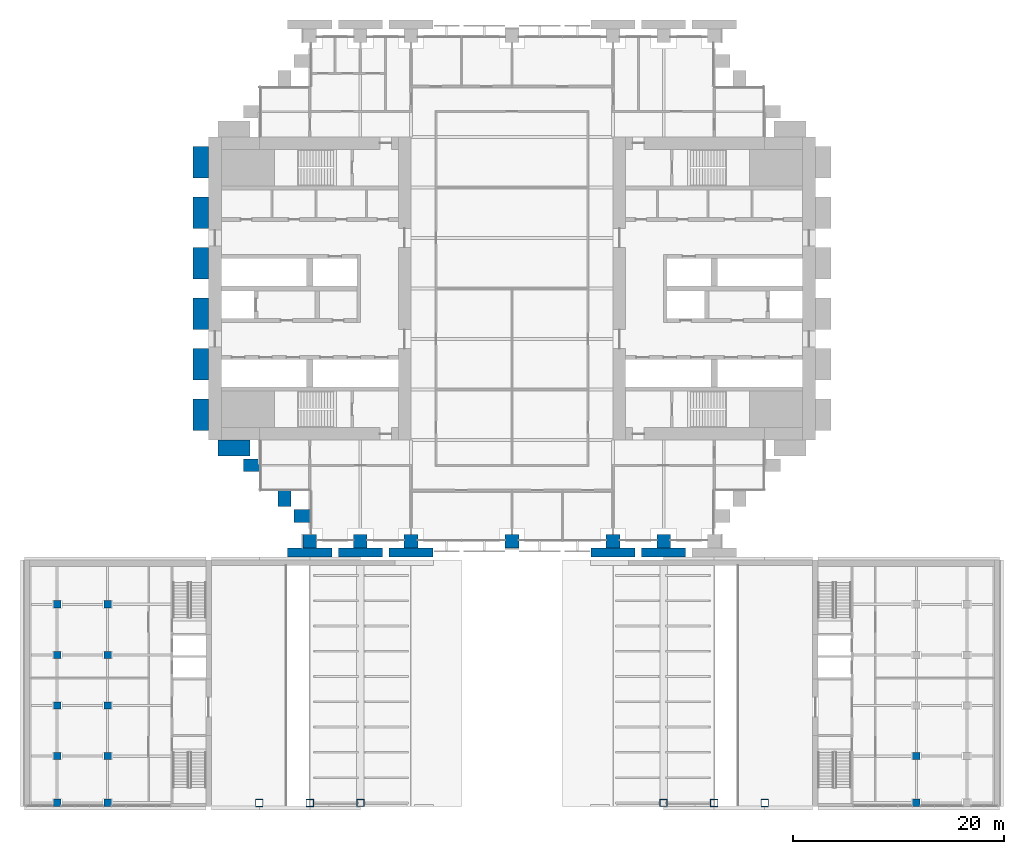
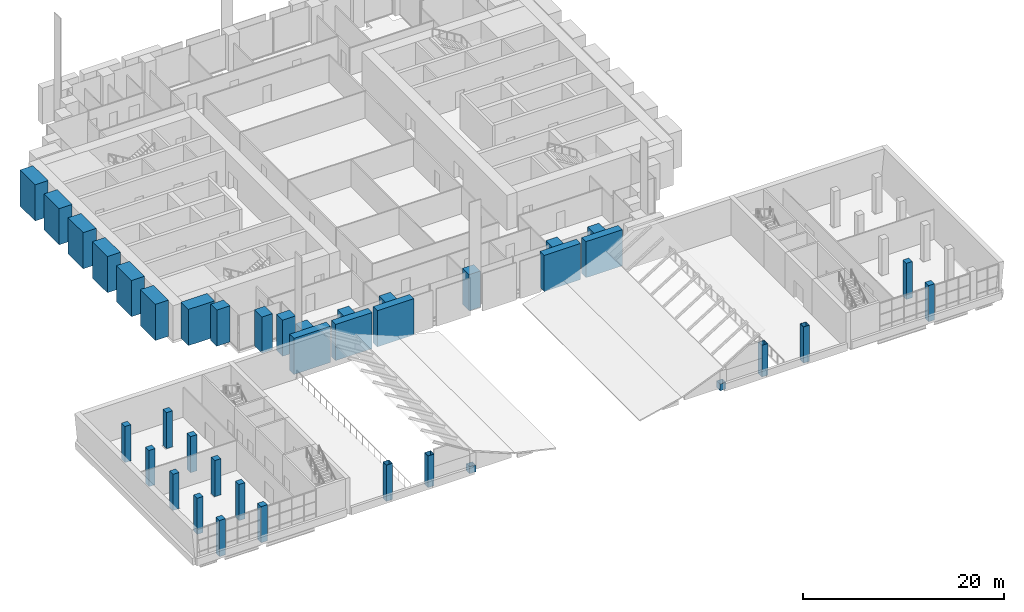
# One storey, part 1 of 32: 39 columns.
"""IFC4 building model written with IfcOpenShell, lengths in metres."""

from ifc_helpers import new_model, si_unit, direction, frame, origin, origin_2d, place, context, subcontext, project, spatial, rectangle, hollow_rectangle, extrude, material, material_profile, profile_set, type_object, element, save


model = new_model("IFC4")

# Units and contexts
model_context = context("Model", 3, precision=1e-05, world=origin(), true_north=direction((0.0, 1.0)))
body_context = subcontext(model_context, "Body", "Model", "MODEL_VIEW")
ifc_project = project(units=[si_unit("LENGTHUNIT", "METRE"), si_unit("AREAUNIT", "SQUARE_METRE"), si_unit("VOLUMEUNIT", "CUBIC_METRE"), si_unit("PLANEANGLEUNIT", "RADIAN"), si_unit("MASSUNIT", "GRAM", prefix="KILO")], contexts=[model_context])

# Site, building, storey
site_placement = place(None, origin())
site = spatial("IfcSite", under=ifc_project, at=site_placement, CompositionType="ELEMENT")
building_placement = place(site_placement, origin())
building = spatial("IfcBuilding", under=site, at=building_placement, Name="Baori Bourse Tower", CompositionType="ELEMENT")
storey_placement = place(building_placement, frame((0.0, 0.0, 12.60009765625)))
storey = spatial("IfcBuildingStorey", under=building, at=storey_placement, Name="L01", CompositionType="ELEMENT", Elevation=12.60009765625)

# Columns
ifc_material_1 = material(Name="Concrete f'c 60 MPa", Category="concrete")
ifc_material_profile_1 = material_profile(ifc_material_1, rectangle(XDim=1.199951171875, YDim=1.5, at=origin_2d()), Name="RC 1200x1500")
ifc_profile_set_1 = profile_set([ifc_material_profile_1], Name="Concrete f'c 60 MPa")
column_type_1 = type_object("IfcColumnType", Name="FN2 Brick pilaster", PredefinedType="PILASTER", material=ifc_profile_set_1)
for number, where, z_axis, x_axis, name in (
    (1, (4.050048828125, 7.199951171875, 0.0), (0.0, 0.0, 1.0), (0.0, 1.0, 0.0), "Brick pilaster L01 7"),
    (2, (7.199951171875, 4.050048828125, 0.0), (0.0, 0.0, 1.0), (1.0, 0.0, 0.0), "Brick pilaster L01 8"),
    (3, (8.85009765625, 2.39990234375, 0.0), (0.0, 0.0, 1.0), (0.0, 1.0, 0.0), "Brick pilaster L01 9"),
):
    element("IfcColumn", number, at=place(storey_placement, frame(where, z_axis=z_axis, x_axis=x_axis)), inside=storey, type_object=column_type_1, Name=name, PredefinedType="PILASTER", context=body_context, shape_type="SweptSolid", body=[
        extrude(rectangle(XDim=1.199951171875, YDim=1.5, at=origin_2d()), origin(), (0.0, 0.0, 1.0), 4.39990234375),
    ])
ifc_material_2 = material(Name="Concrete f'c 60 MPa", Category="concrete")
ifc_material_profile_2 = material_profile(ifc_material_2, rectangle(XDim=4.199951171875, YDim=0.85009765625, at=origin_2d()), Name="RC 4200x850")
ifc_profile_set_2 = profile_set([ifc_material_profile_2], Name="Concrete f'c 60 MPa")
column_type_2 = type_object("IfcColumnType", Name="FN3 Brick pilaster 4200x850", PredefinedType="PILASTER", material=ifc_profile_set_2)
for number, where, z_axis, x_axis, name in (
    (4, (9.60009765625, -1.074951171875, 0.0), (0.0, 0.0, 1.0), (1.0, 0.0, 0.0), "Brick pilaster L01 29"),
    (5, (14.39990234375, -1.074951171875, 0.0), (0.0, 0.0, 1.0), (1.0, 0.0, 0.0), "Brick pilaster L01 30"),
    (6, (19.199951171875, -1.074951171875, 0.0), (0.0, 0.0, 1.0), (1.0, 0.0, 0.0), "Brick pilaster L01 31"),
    (7, (38.39990234375, -1.074951171875, 0.0), (0.0, 0.0, 1.0), (1.0, 0.0, 0.0), "Brick pilaster L01 32"),
    (8, (43.199951171875, -1.074951171875, 0.0), (0.0, 0.0, 1.0), (1.0, 0.0, 0.0), "Brick pilaster L01 33"),
):
    element("IfcColumn", number, at=place(storey_placement, frame(where, z_axis=z_axis, x_axis=x_axis)), inside=storey, type_object=column_type_2, Name=name, PredefinedType="PILASTER", context=body_context, shape_type="SweptSolid", body=[
        extrude(rectangle(XDim=4.199951171875, YDim=0.85009765625, at=origin_2d()), origin(), (0.0, 0.0, 1.0), 4.39990234375),
    ])
ifc_material_3 = material(Name="Concrete f'c 60 MPa", Category="concrete")
ifc_material_profile_3 = material_profile(ifc_material_3, rectangle(XDim=3.0, YDim=1.5, at=origin_2d()), Name="RC 3000x1500")
ifc_profile_set_3 = profile_set([ifc_material_profile_3], Name="Concrete f'c 60 MPa")
column_type_3 = type_object("IfcColumnType", Name="FN4 Brick flank pilaster 3000x1500", PredefinedType="PILASTER", material=ifc_profile_set_3)
for number, where, z_axis, x_axis, name in (
    (9, (-0.75, 12.0, 0.0), (0.0, 0.0, 1.0), (0.0, 1.0, 0.0), "Brick pilaster L01 22"),
    (10, (-0.75, 16.800048828125, 0.0), (0.0, 0.0, 1.0), (0.0, 1.0, 0.0), "Brick pilaster L01 23"),
    (11, (-0.75, 21.60009765625, 0.0), (0.0, 0.0, 1.0), (0.0, 1.0, 0.0), "Brick pilaster L01 24"),
    (12, (-0.75, 26.39990234375, 0.0), (0.0, 0.0, 1.0), (0.0, 1.0, 0.0), "Brick pilaster L01 25"),
    (13, (-0.75, 31.199951171875, 0.0), (0.0, 0.0, 1.0), (0.0, 1.0, 0.0), "Brick pilaster L01 26"),
    (14, (-0.75, 36.0, 0.0), (0.0, 0.0, 1.0), (0.0, 1.0, 0.0), "Brick pilaster L01 27"),
    (15, (2.39990234375, 8.85009765625, 0.0), (0.0, 0.0, 1.0), (1.0, 0.0, 0.0), "Brick pilaster L01 28"),
):
    element("IfcColumn", number, at=place(storey_placement, frame(where, z_axis=z_axis, x_axis=x_axis)), inside=storey, type_object=column_type_3, Name=name, PredefinedType="PILASTER", context=body_context, shape_type="SweptSolid", body=[
        extrude(rectangle(XDim=3.0, YDim=1.5, at=origin_2d()), origin(), (0.0, 0.0, 1.0), 4.39990234375),
    ])
ifc_material_4 = material(Name="Steel A572 Gr 50", Category="steel")
ifc_material_profile_4 = material_profile(ifc_material_4, hollow_rectangle(XDim=0.699951171875, YDim=0.699951171875, WallThickness=0.031982421875, at=origin_2d()), Name="BOX 700x700x32")
ifc_profile_set_4 = profile_set([ifc_material_profile_4], Name="Steel A572 Gr 50")
column_type_4 = type_object("IfcColumnType", Name="Hall box column 700", PredefinedType="COLUMN", material=ifc_profile_set_4)
column_1_placement = place(storey_placement, frame((4.800048828125, -24.85009765625, 0.0), z_axis=(0.0, 0.0, 1.0), x_axis=(1.0, 0.0, 0.0)))
element("IfcColumn", 16, at=column_1_placement, inside=storey, type_object=column_type_4, Name="wing/L01/hallcol/001", PredefinedType="COLUMN", context=body_context, shape_type="SweptSolid", body=[
    extrude(hollow_rectangle(XDim=0.699951171875, YDim=0.699951171875, WallThickness=0.031982421875, at=origin_2d()), origin(), (0.0, 0.0, 1.0), 4.39990234375),
])
column_2_placement = place(storey_placement, frame((9.60009765625, -24.85009765625, 0.0), z_axis=(0.0, 0.0, 1.0), x_axis=(1.0, 0.0, 0.0)))
element("IfcColumn", 17, at=column_2_placement, inside=storey, type_object=column_type_4, Name="wing/L01/hallcol/002", PredefinedType="COLUMN", context=body_context, shape_type="SweptSolid", body=[
    extrude(hollow_rectangle(XDim=0.699951171875, YDim=0.699951171875, WallThickness=0.031982421875, at=origin_2d()), origin(), (0.0, 0.0, 1.0), 3.8447265625),
])
for number, where, z_axis, x_axis, name in (
    (18, (14.39990234375, -24.85009765625, 0.0), (0.0, 0.0, 1.0), (1.0, 0.0, 0.0), "wing/L01/hallcol/003"),
    (19, (43.199951171875, -24.85009765625, 0.0), (0.0, 0.0, 1.0), (1.0, 0.0, 0.0), "wing/L01/hallcol/004"),
):
    element("IfcColumn", number, at=place(storey_placement, frame(where, z_axis=z_axis, x_axis=x_axis)), inside=storey, type_object=column_type_4, Name=name, PredefinedType="COLUMN", context=body_context, shape_type="SweptSolid", body=[
        extrude(hollow_rectangle(XDim=0.699951171875, YDim=0.699951171875, WallThickness=0.031982421875, at=origin_2d()), origin(), (0.0, 0.0, 1.0), 0.822021484375),
    ])
column_3_placement = place(storey_placement, frame((48.0, -24.85009765625, 0.0), z_axis=(0.0, 0.0, 1.0), x_axis=(1.0, 0.0, 0.0)))
element("IfcColumn", 20, at=column_3_placement, inside=storey, type_object=column_type_4, Name="wing/L01/hallcol/005", PredefinedType="COLUMN", context=body_context, shape_type="SweptSolid", body=[
    extrude(hollow_rectangle(XDim=0.699951171875, YDim=0.699951171875, WallThickness=0.031982421875, at=origin_2d()), origin(), (0.0, 0.0, 1.0), 3.8447265625),
])
column_4_placement = place(storey_placement, frame((52.800048828125, -24.85009765625, 0.0), z_axis=(0.0, 0.0, 1.0), x_axis=(1.0, 0.0, 0.0)))
element("IfcColumn", 21, at=column_4_placement, inside=storey, type_object=column_type_4, Name="wing/L01/hallcol/006", PredefinedType="COLUMN", context=body_context, shape_type="SweptSolid", body=[
    extrude(hollow_rectangle(XDim=0.699951171875, YDim=0.699951171875, WallThickness=0.031982421875, at=origin_2d()), origin(), (0.0, 0.0, 1.0), 4.39990234375),
])
ifc_material_5 = material(Name="Concrete f'c 70 MPa", Category="concrete")
ifc_material_profile_5 = material_profile(ifc_material_5, rectangle(XDim=1.300048828125, YDim=1.300048828125, at=origin_2d()), Name="RC 1300x1300")
ifc_profile_set_5 = profile_set([ifc_material_profile_5], Name="Concrete f'c 70 MPa")
column_type_5 = type_object("IfcColumnType", Name="Perimeter column RC 1300x1300", PredefinedType="COLUMN", material=ifc_profile_set_5)
for number, where, z_axis, x_axis, name in (
    (22, (9.60009765625, 0.0, 0.0), (0.0, 0.0, 1.0), (1.0, 0.0, 0.0), "Perimeter column L01"),
    (23, (14.39990234375, 0.0, 0.0), (0.0, 0.0, 1.0), (1.0, 0.0, 0.0), "Perimeter column L01"),
    (24, (19.199951171875, 0.0, 0.0), (0.0, 0.0, 1.0), (1.0, 0.0, 0.0), "Perimeter column L01"),
    (25, (28.800048828125, 0.0, 0.0), (0.0, 0.0, 1.0), (1.0, 0.0, 0.0), "Perimeter column L01"),
    (26, (38.39990234375, 0.0, 0.0), (0.0, 0.0, 1.0), (1.0, 0.0, 0.0), "Perimeter column L01"),
    (27, (43.199951171875, 0.0, 0.0), (0.0, 0.0, 1.0), (1.0, 0.0, 0.0), "Perimeter column L01"),
):
    element("IfcColumn", number, at=place(storey_placement, frame(where, z_axis=z_axis, x_axis=x_axis)), inside=storey, type_object=column_type_5, Name=name, PredefinedType="COLUMN", context=body_context, shape_type="SweptSolid", body=[
        extrude(rectangle(XDim=1.300048828125, YDim=1.300048828125, at=origin_2d()), origin(), (0.0, 0.0, 1.0), 4.39990234375),
    ])
ifc_material_6 = material(Name="Concrete f'c 50 MPa", Category="concrete")
ifc_material_profile_6 = material_profile(ifc_material_6, rectangle(XDim=0.699951171875, YDim=0.699951171875, at=origin_2d()), Name="Wing column 700")
ifc_profile_set_6 = profile_set([ifc_material_profile_6], Name="Concrete f'c 50 MPa")
column_type_6 = type_object("IfcColumnType", Name="Wing column 700", PredefinedType="COLUMN", material=ifc_profile_set_6)
for number, where, z_axis, x_axis, name in (
    (28, (-14.39990234375, -24.85009765625, 0.0), (0.0, 0.0, 1.0), (1.0, 0.0, 0.0), "wing/L01/Wcol/001"),
    (29, (-14.39990234375, -20.39990234375, 0.0), (0.0, 0.0, 1.0), (1.0, 0.0, 0.0), "wing/L01/Wcol/002"),
    (30, (-14.39990234375, -15.60009765625, 0.0), (0.0, 0.0, 1.0), (1.0, 0.0, 0.0), "wing/L01/Wcol/003"),
    (31, (-14.39990234375, -10.800048828125, 0.0), (0.0, 0.0, 1.0), (1.0, 0.0, 0.0), "wing/L01/Wcol/004"),
    (32, (-14.39990234375, -6.0, 0.0), (0.0, 0.0, 1.0), (1.0, 0.0, 0.0), "wing/L01/Wcol/005"),
    (33, (-9.60009765625, -24.85009765625, 0.0), (0.0, 0.0, 1.0), (1.0, 0.0, 0.0), "wing/L01/Wcol/006"),
    (34, (-9.60009765625, -20.39990234375, 0.0), (0.0, 0.0, 1.0), (1.0, 0.0, 0.0), "wing/L01/Wcol/007"),
    (35, (-9.60009765625, -15.60009765625, 0.0), (0.0, 0.0, 1.0), (1.0, 0.0, 0.0), "wing/L01/Wcol/008"),
    (36, (-9.60009765625, -10.800048828125, 0.0), (0.0, 0.0, 1.0), (1.0, 0.0, 0.0), "wing/L01/Wcol/009"),
    (37, (-9.60009765625, -6.0, 0.0), (0.0, 0.0, 1.0), (1.0, 0.0, 0.0), "wing/L01/Wcol/010"),
    (38, (67.199951171875, -24.85009765625, 0.0), (0.0, 0.0, 1.0), (1.0, 0.0, 0.0), "wing/L01/Ecol/006"),
    (39, (67.199951171875, -20.39990234375, 0.0), (0.0, 0.0, 1.0), (1.0, 0.0, 0.0), "wing/L01/Ecol/007"),
):
    element("IfcColumn", number, at=place(storey_placement, frame(where, z_axis=z_axis, x_axis=x_axis)), inside=storey, type_object=column_type_6, Name=name, PredefinedType="COLUMN", context=body_context, shape_type="SweptSolid", body=[
        extrude(rectangle(XDim=0.699951171875, YDim=0.699951171875, at=origin_2d()), origin(), (0.0, 0.0, 1.0), 4.39990234375),
    ])

save(model, "model.ifc")
